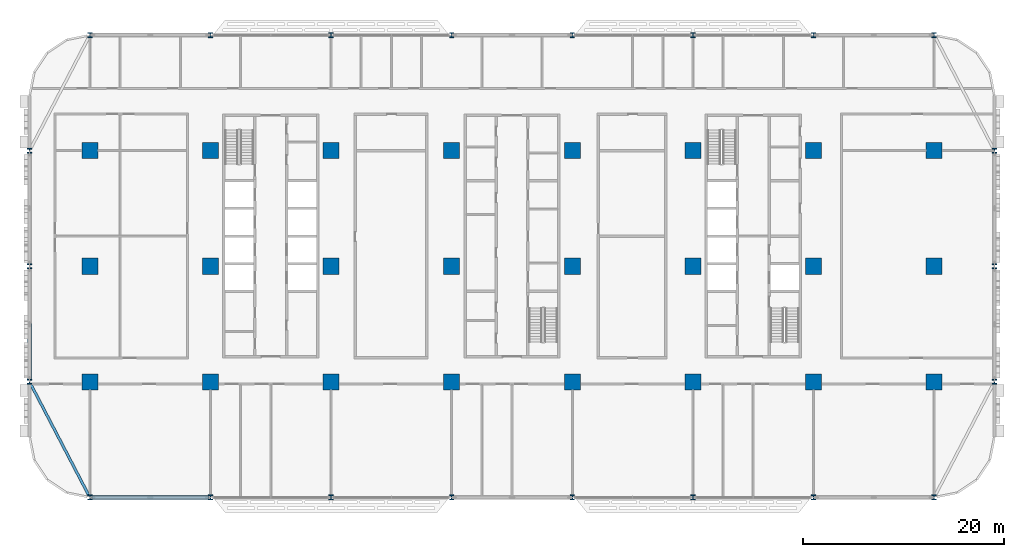
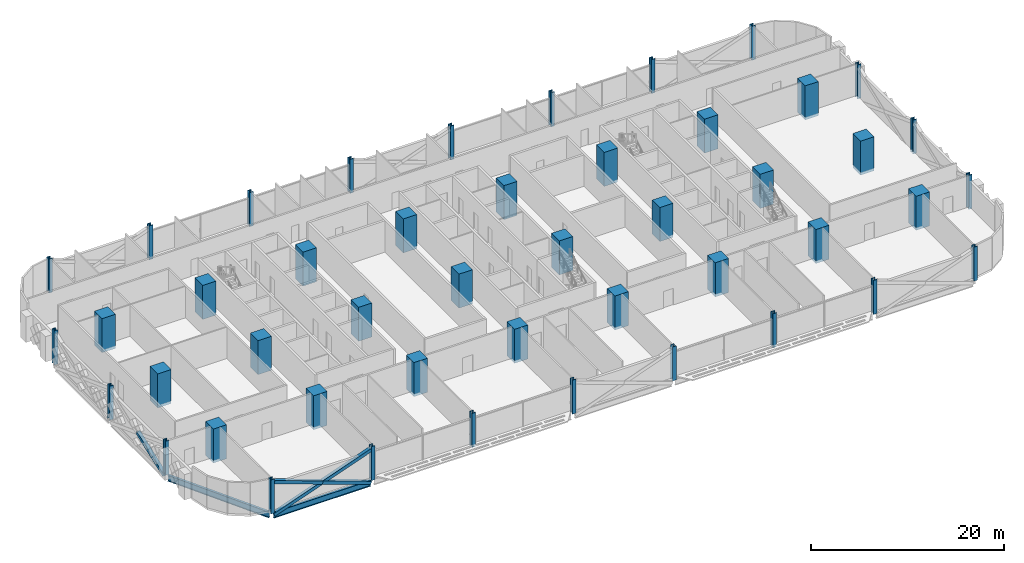
# One storey, part 1 of 27: 46 columns, 4 members, 2 beams.
"""IFC4 building model written with IfcOpenShell, lengths in metres."""

from ifc_helpers import new_model, si_unit, direction, frame, origin, origin_2d, place, context, subcontext, project, spatial, rectangle, hollow_rectangle, i_section, extrude, material, material_profile, profile_set, type_object, element, save


model = new_model("IFC4")

# Units and contexts
model_context = context("Model", 3, precision=1e-05, world=origin(), true_north=direction((0.0, 1.0)))
body_context = subcontext(model_context, "Body", "Model", "MODEL_VIEW")
ifc_project = project(units=[si_unit("LENGTHUNIT", "METRE"), si_unit("AREAUNIT", "SQUARE_METRE"), si_unit("VOLUMEUNIT", "CUBIC_METRE"), si_unit("PLANEANGLEUNIT", "RADIAN"), si_unit("MASSUNIT", "GRAM", prefix="KILO")], contexts=[model_context])

# Site, building, storey
site_placement = place(None, origin())
site = spatial("IfcSite", under=ifc_project, at=site_placement, CompositionType="ELEMENT")
building_placement = place(site_placement, origin())
building = spatial("IfcBuilding", under=site, at=building_placement, Name="Mahtab Terrace Research Tower", CompositionType="ELEMENT")
storey_placement = place(building_placement, frame((0.0, 0.0, 28.699951171875)))
storey = spatial("IfcBuildingStorey", under=building, at=storey_placement, Name="L06", CompositionType="ELEMENT", Elevation=28.699951171875)

# Columns
ifc_material_1 = material(Name="Concrete C70/85", Category="concrete")
ifc_material_profile_1 = material_profile(ifc_material_1, rectangle(XDim=1.60009765625, YDim=1.60009765625, at=origin_2d()), Name="RC column 1600x1600")
ifc_profile_set_1 = profile_set([ifc_material_profile_1], Name="Concrete C70/85")
column_type_1 = type_object("IfcColumnType", Name="RC column 1600x1600", PredefinedType="COLUMN", material=ifc_profile_set_1)
for number, where, z_axis, x_axis, name in (
    (1, (-42.0, -11.5, -0.33984375), (0.0, 0.0, 1.0), (1.0, 0.0, 0.0), "Column RC-1A L06"),
    (2, (-42.0, 0.0, -0.33984375), (0.0, 0.0, 1.0), (1.0, 0.0, 0.0), "Column RC-1B L06"),
    (3, (-42.0, 11.5, -0.33984375), (0.0, 0.0, 1.0), (1.0, 0.0, 0.0), "Column RC-1C L06"),
    (4, (-30.0, -11.5, -0.33984375), (0.0, 0.0, 1.0), (1.0, 0.0, 0.0), "Column RC-2A L06"),
    (5, (-30.0, 0.0, -0.33984375), (0.0, 0.0, 1.0), (1.0, 0.0, 0.0), "Column RC-2B L06"),
    (6, (-30.0, 11.5, -0.33984375), (0.0, 0.0, 1.0), (1.0, 0.0, 0.0), "Column RC-2C L06"),
    (7, (-18.0, -11.5, -0.33984375), (0.0, 0.0, 1.0), (1.0, 0.0, 0.0), "Column RC-3A L06"),
    (8, (-18.0, 0.0, -0.33984375), (0.0, 0.0, 1.0), (1.0, 0.0, 0.0), "Column RC-3B L06"),
    (9, (-18.0, 11.5, -0.33984375), (0.0, 0.0, 1.0), (1.0, 0.0, 0.0), "Column RC-3C L06"),
    (10, (-6.0, -11.5, -0.33984375), (0.0, 0.0, 1.0), (1.0, 0.0, 0.0), "Column RC-4A L06"),
    (11, (-6.0, 0.0, -0.33984375), (0.0, 0.0, 1.0), (1.0, 0.0, 0.0), "Column RC-4B L06"),
    (12, (-6.0, 11.5, -0.33984375), (0.0, 0.0, 1.0), (1.0, 0.0, 0.0), "Column RC-4C L06"),
    (13, (6.0, -11.5, -0.33984375), (0.0, 0.0, 1.0), (1.0, 0.0, 0.0), "Column RC-5A L06"),
    (14, (6.0, 0.0, -0.33984375), (0.0, 0.0, 1.0), (1.0, 0.0, 0.0), "Column RC-5B L06"),
    (15, (6.0, 11.5, -0.33984375), (0.0, 0.0, 1.0), (1.0, 0.0, 0.0), "Column RC-5C L06"),
    (16, (18.0, -11.5, -0.33984375), (0.0, 0.0, 1.0), (1.0, 0.0, 0.0), "Column RC-6A L06"),
    (17, (18.0, 0.0, -0.33984375), (0.0, 0.0, 1.0), (1.0, 0.0, 0.0), "Column RC-6B L06"),
    (18, (18.0, 11.5, -0.33984375), (0.0, 0.0, 1.0), (1.0, 0.0, 0.0), "Column RC-6C L06"),
    (19, (30.0, -11.5, -0.33984375), (0.0, 0.0, 1.0), (1.0, 0.0, 0.0), "Column RC-7A L06"),
    (20, (30.0, 0.0, -0.33984375), (0.0, 0.0, 1.0), (1.0, 0.0, 0.0), "Column RC-7B L06"),
    (21, (30.0, 11.5, -0.33984375), (0.0, 0.0, 1.0), (1.0, 0.0, 0.0), "Column RC-7C L06"),
    (22, (42.0, -11.5, -0.33984375), (0.0, 0.0, 1.0), (1.0, 0.0, 0.0), "Column RC-8A L06"),
    (23, (42.0, 0.0, -0.33984375), (0.0, 0.0, 1.0), (1.0, 0.0, 0.0), "Column RC-8B L06"),
    (24, (42.0, 11.5, -0.33984375), (0.0, 0.0, 1.0), (1.0, 0.0, 0.0), "Column RC-8C L06"),
):
    element("IfcColumn", number, at=place(storey_placement, frame(where, z_axis=z_axis, x_axis=x_axis)), inside=storey, type_object=column_type_1, Name=name, PredefinedType="COLUMN", context=body_context, shape_type="SweptSolid", body=[
        extrude(rectangle(XDim=1.60009765625, YDim=1.60009765625, at=origin_2d()), origin(), (0.0, 0.0, 1.0), 4.2998046875),
    ])
ifc_material_2 = material(Name="Steel ASTM A992 Gr 50", Category="steel")
ifc_material_profile_2 = material_profile(ifc_material_2, i_section(OverallWidth=0.431884765625, OverallDepth=0.497802734375, WebThickness=0.0556640625, FlangeThickness=0.0888671875, at=origin_2d()), Name="W14X500")
ifc_profile_set_2 = profile_set([ifc_material_profile_2], Name="Steel ASTM A992 Gr 50")
column_type_2 = type_object("IfcColumnType", Name="W14x500 column CS14500", PredefinedType="COLUMN", material=ifc_profile_set_2)
for number, where, z_axis, x_axis, name in (
    (25, (42.0, 23.0, -0.33984375), (0.0, 0.0, 1.0), (1.0, 0.0, 0.0), "Column SC-001 L06"),
    (26, (30.0, 23.0, -0.33984375), (0.0, 0.0, 1.0), (1.0, 0.0, 0.0), "Column SC-002 L06"),
    (27, (18.0, 23.0, -0.33984375), (0.0, 0.0, 1.0), (1.0, 0.0, 0.0), "Column SC-003 L06"),
    (28, (6.0, 23.0, -0.33984375), (0.0, 0.0, 1.0), (1.0, 0.0, 0.0), "Column SC-004 L06"),
    (29, (-6.0, 23.0, -0.33984375), (0.0, 0.0, 1.0), (1.0, 0.0, 0.0), "Column SC-005 L06"),
    (30, (-18.0, 23.0, -0.33984375), (0.0, 0.0, 1.0), (1.0, 0.0, 0.0), "Column SC-006 L06"),
    (31, (-30.0, 23.0, -0.33984375), (0.0, 0.0, 1.0), (1.0, 0.0, 0.0), "Column SC-007 L06"),
    (32, (-42.0, 23.0, -0.33984375), (0.0, 0.0, 1.0), (1.0, 0.0, 0.0), "Column SC-008 L06"),
    (33, (-48.0, 11.5, -0.33984375), (0.0, 0.0, 1.0), (1.0, 0.0, 0.0), "Column SC-009 L06"),
    (34, (-48.0, 0.0, -0.33984375), (0.0, 0.0, 1.0), (1.0, 0.0, 0.0), "Column SC-010 L06"),
    (35, (-48.0, -11.5, -0.33984375), (0.0, 0.0, 1.0), (1.0, 0.0, 0.0), "Column SC-011 L06"),
    (36, (-42.0, -23.0, -0.33984375), (0.0, 0.0, 1.0), (1.0, 0.0, 0.0), "Column SC-012 L06"),
    (37, (-30.0, -23.0, -0.33984375), (0.0, 0.0, 1.0), (1.0, 0.0, 0.0), "Column SC-013 L06"),
    (38, (-18.0, -23.0, -0.33984375), (0.0, 0.0, 1.0), (1.0, 0.0, 0.0), "Column SC-014 L06"),
    (39, (-6.0, -23.0, -0.33984375), (0.0, 0.0, 1.0), (1.0, 0.0, 0.0), "Column SC-015 L06"),
    (40, (6.0, -23.0, -0.33984375), (0.0, 0.0, 1.0), (1.0, 0.0, 0.0), "Column SC-016 L06"),
    (41, (18.0, -23.0, -0.33984375), (0.0, 0.0, 1.0), (1.0, 0.0, 0.0), "Column SC-017 L06"),
    (42, (30.0, -23.0, -0.33984375), (0.0, 0.0, 1.0), (1.0, 0.0, 0.0), "Column SC-018 L06"),
    (43, (42.0, -23.0, -0.33984375), (0.0, 0.0, 1.0), (1.0, 0.0, 0.0), "Column SC-019 L06"),
    (44, (48.0, -11.5, -0.33984375), (0.0, 0.0, 1.0), (1.0, 0.0, 0.0), "Column SC-020 L06"),
    (45, (48.0, 0.0, -0.33984375), (0.0, 0.0, 1.0), (1.0, 0.0, 0.0), "Column SC-021 L06"),
    (46, (48.0, 11.5, -0.33984375), (0.0, 0.0, 1.0), (1.0, 0.0, 0.0), "Column SC-022 L06"),
):
    element("IfcColumn", number, at=place(storey_placement, frame(where, z_axis=z_axis, x_axis=x_axis)), inside=storey, type_object=column_type_2, Name=name, PredefinedType="COLUMN", context=body_context, shape_type="SweptSolid", body=[
        extrude(i_section(OverallWidth=0.431884765625, OverallDepth=0.497802734375, WebThickness=0.0556640625, FlangeThickness=0.0888671875, at=origin_2d()), origin(), (0.0, 0.0, 1.0), 4.2998046875),
    ])

# Members
ifc_material_3 = material(Name="Steel ASTM A500 Gr C", Category="steel")
ifc_material_profile_3 = material_profile(ifc_material_3, hollow_rectangle(XDim=0.406494140625, YDim=0.406494140625, WallThickness=0.01904296875, at=origin_2d()), Name="HSS16X16X3/4")
ifc_profile_set_3 = profile_set([ifc_material_profile_3], Name="Steel ASTM A500 Gr C")
member_type = type_object("IfcMemberType", Name="HSS 16x16x3/4 brace XB161634", PredefinedType="BRACE", material=ifc_profile_set_3)
member_1_placement = place(storey_placement, frame((-48.0, -11.251220703125, -0.625244140625), z_axis=(0.0, 0.936668691391, 0.350216736563), x_axis=(-1.0, 0.0, 0.0)))
element("IfcMember", 47, at=member_1_placement, inside=storey, type_object=member_type, Name="Exoskeleton brace L06 10 b1", PredefinedType="BRACE", context=body_context, shape_type="SweptSolid", body=[
    extrude(hollow_rectangle(XDim=0.406494140625, YDim=0.406494140625, WallThickness=0.01904296875, at=origin_2d()), origin(), (0.0, 0.0, 1.0), 5.873291015625),
])
member_2_placement = place(storey_placement, frame((-41.7841796875, -23.0, -0.64111328125), z_axis=(0.941388097231, 0.0, 0.337325436917), x_axis=(0.0, 1.0, 0.0)))
element("IfcMember", 48, at=member_2_placement, inside=storey, type_object=member_type, Name="Exoskeleton brace L06 12 a", PredefinedType="BRACE", context=body_context, shape_type="SweptSolid", body=[
    extrude(hollow_rectangle(XDim=0.406494140625, YDim=0.406494140625, WallThickness=0.01904296875, at=origin_2d()), origin(), (0.0, 0.0, 1.0), 12.28857421875),
])
for number, where, z_axis, x_axis, name in (
    (49, (-30.2158203125, -23.0, -0.64111328125), (-0.941381788192, 0.0, 0.337343043295), (0.0, -1.0, 0.0), "Exoskeleton brace L06 12 b1"),
    (50, (-36.0, -23.0, 1.431640625), (-0.941394406025, 0.0, 0.337307830185), (0.0, -1.0, 0.0), "Exoskeleton brace L06 12 b2"),
):
    element("IfcMember", number, at=place(storey_placement, frame(where, z_axis=z_axis, x_axis=x_axis)), inside=storey, type_object=member_type, Name=name, PredefinedType="BRACE", context=body_context, shape_type="SweptSolid", body=[
        extrude(hollow_rectangle(XDim=0.406494140625, YDim=0.406494140625, WallThickness=0.01904296875, at=origin_2d()), origin(), (0.0, 0.0, 1.0), 6.144287109375),
    ])

# Beams
ifc_material_profile_4 = material_profile(ifc_material_2, i_section(OverallWidth=0.2666015625, OverallDepth=0.7568359375, WebThickness=0.013916015625, FlangeThickness=0.019287109375, at=origin_2d()), Name="W30X108")
ifc_profile_set_4 = profile_set([ifc_material_profile_4], Name="Steel ASTM A992 Gr 50")
beam_type = type_object("IfcBeamType", Name="W30x108 beam BS30108", PredefinedType="BEAM", material=ifc_profile_set_4)
beam_1_placement = place(storey_placement, frame((-47.8701171875, -11.748779296875, -0.718505859375), z_axis=(0.462555249274, -0.88659045865, 0.0), x_axis=(0.88659045865, 0.462555249274, 0.0)))
element("IfcBeam", 51, at=beam_1_placement, inside=storey, type_object=beam_type, Name="Spandrel beam L06 11", PredefinedType="BEAM", context=body_context, shape_type="SweptSolid", body=[
    extrude(i_section(OverallWidth=0.2666015625, OverallDepth=0.7568359375, WebThickness=0.013916015625, FlangeThickness=0.019287109375, at=origin_2d()), origin(), (0.0, 0.0, 1.0), 12.409912109375),
])
beam_2_placement = place(storey_placement, frame((-41.7841796875, -23.0, -0.718505859375), z_axis=(1.0, 0.0, 0.0), x_axis=(0.0, 1.0, 0.0)))
element("IfcBeam", 52, at=beam_2_placement, inside=storey, type_object=beam_type, Name="Spandrel beam L06 12", PredefinedType="BEAM", context=body_context, shape_type="SweptSolid", body=[
    extrude(i_section(OverallWidth=0.2666015625, OverallDepth=0.7568359375, WebThickness=0.013916015625, FlangeThickness=0.019287109375, at=origin_2d()), origin(), (0.0, 0.0, 1.0), 11.568359375),
])

save(model, "model.ifc")
